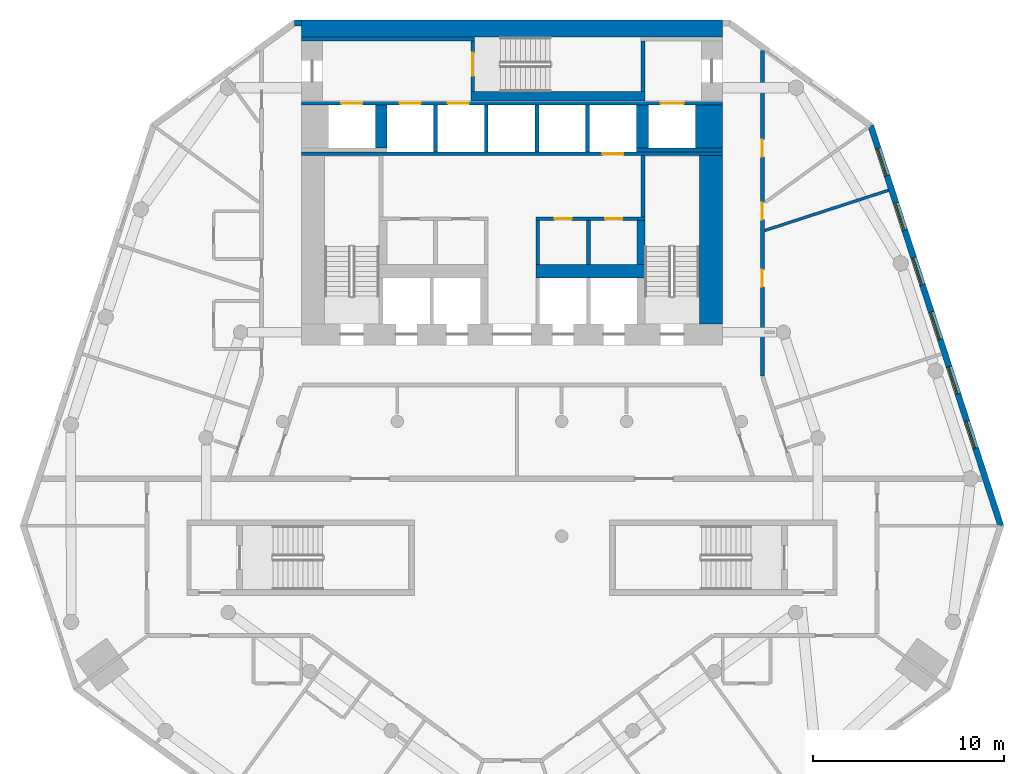
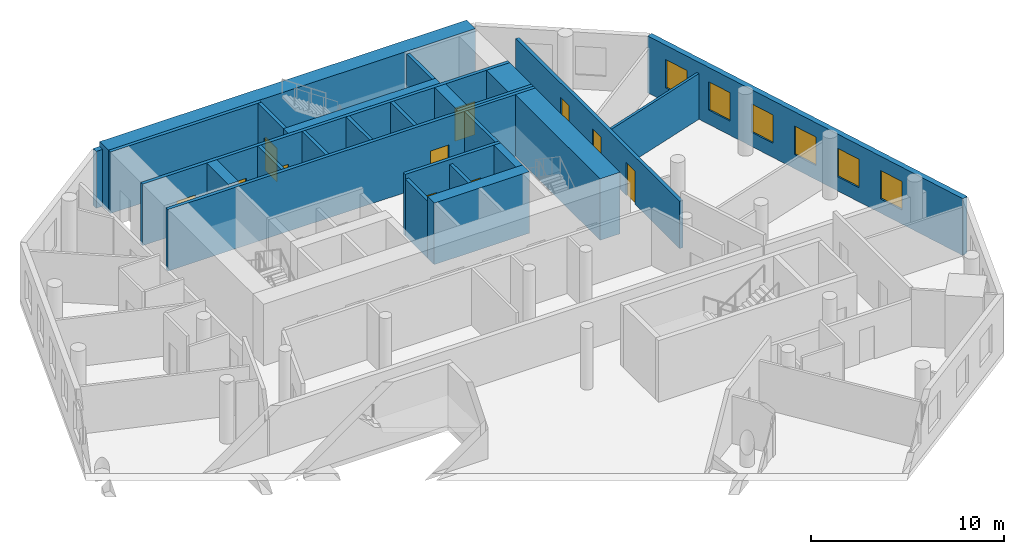
# One storey, part 6 of 9: 26 walls, 11 doors, 6 windows, 17 openings.
"""IFC4 building model written with IfcOpenShell, lengths in metres."""

import ifcopenshell
import ifcopenshell.guid

model = None  # the IFC model being written
_history = None  # IfcOwnerHistory: only IFC2X3 demands one
_inside = {}  # id of a spatial element -> (the spatial element, [elements in it])
_under = {}  # id of a project, library or spatial element -> (it, [spatial elements below it])
_declared = {}  # id of a project -> (the project, [libraries it declares])
_typed = {}  # id of a type object -> (the type object, [elements of that type])
_made_of = {}  # id of a material, layer set ... -> (it, [elements and type objects made of it])


def new_model(schema):
    """Start an empty IFC model of exactly this schema.

    Asked for "IFC4X3", IfcOpenShell would pick the latest addendum, in which some entities
    have other attributes; the version numbers below select the first issue.
    IFC2X3 requires an IfcOwnerHistory on every rooted entity: one is made here for all.
    """
    global model, _history
    if schema == "IFC4X3":
        model = ifcopenshell.file(schema_version=(4, 3, 0, 0))
    else:
        model = ifcopenshell.file(schema=schema)
    _inside.clear()
    _under.clear()
    _declared.clear()
    _typed.clear()
    _made_of.clear()
    _history = None
    if model.schema == "IFC2X3":
        org = make("IfcOrganization", Name="unknown")
        user = make(
            "IfcPersonAndOrganization",
            ThePerson=make("IfcPerson", FamilyName="unknown"),
            TheOrganization=org,
        )
        app = make(
            "IfcApplication",
            ApplicationDeveloper=org,
            Version="unknown",
            ApplicationFullName="unknown",
            ApplicationIdentifier="unknown",
        )
        _history = make(
            "IfcOwnerHistory",
            OwningUser=user,
            OwningApplication=app,
            ChangeAction="ADDED",
            CreationDate=0,
        )
    return model


def make(cls, **values):
    """One entity of the class cls with the attributes given. An attribute that is None is left unset."""
    return model.create_entity(
        cls, **{name: value for name, value in values.items() if value is not None}
    )


def rooted(cls, **values):
    """An entity with a GlobalId (a new one), such as an element, a storey or a relation."""
    return make(cls, GlobalId=ifcopenshell.guid.new(), OwnerHistory=_history, **values)


def si_unit(unit_type, name, prefix=None):
    """IfcSIUnit, for example si_unit("LENGTHUNIT", "METRE", prefix="MILLI")."""
    return make("IfcSIUnit", UnitType=unit_type, Prefix=prefix, Name=name)


def assignment(units):
    """IfcUnitAssignment: the units of a project."""
    return None if units is None else make("IfcUnitAssignment", Units=units)


def point(xyz):
    """IfcCartesianPoint."""
    return None if xyz is None else make("IfcCartesianPoint", Coordinates=xyz)


def direction(xyz):
    """IfcDirection."""
    return None if xyz is None else make("IfcDirection", DirectionRatios=xyz)


def frame(location, z_axis=None, x_axis=None):
    """IfcAxis2Placement3D, a coordinate frame: its origin and axes. An axis left out is left unset."""
    return make(
        "IfcAxis2Placement3D",
        Location=point(location),
        Axis=direction(z_axis),
        RefDirection=direction(x_axis),
    )


def frame_2d(location, x_axis=None):
    """IfcAxis2Placement2D, a coordinate frame in the plane: its origin and x axis."""
    return make(
        "IfcAxis2Placement2D", Location=point(location), RefDirection=direction(x_axis)
    )


def origin():
    """The frame at (0, 0, 0) with its axes left unset."""
    return frame((0.0, 0.0, 0.0))


def place(relative_to, where):
    """IfcLocalPlacement: puts the frame where relative to a parent placement (None: the world)."""
    return make(
        "IfcLocalPlacement", PlacementRelTo=relative_to, RelativePlacement=where
    )


def context(
    kind, dimensions, precision=None, world=None, true_north=None, identifier=None
):
    """IfcGeometricRepresentationContext, for example the 3D "Model" context."""
    return make(
        "IfcGeometricRepresentationContext",
        ContextIdentifier=identifier,
        ContextType=kind,
        CoordinateSpaceDimension=dimensions,
        Precision=precision,
        WorldCoordinateSystem=world,
        TrueNorth=true_north,
    )


def subcontext(parent, identifier, kind, view, scale=None):
    """IfcGeometricRepresentationSubContext, for example "Body" below "Model"."""
    return make(
        "IfcGeometricRepresentationSubContext",
        ContextIdentifier=identifier,
        ContextType=kind,
        ParentContext=parent,
        TargetScale=scale,
        TargetView=view,
    )


def project(units=None, contexts=None):
    """IfcProject with its units and contexts."""
    return rooted(
        "IfcProject",
        Name="project",
        RepresentationContexts=contexts,
        UnitsInContext=assignment(units),
    )


def spatial(cls, under=None, at=None, **own):
    """A site, building, storey or space (cls), placed at a placement, below another one or the project."""
    s = rooted(cls, ObjectPlacement=at, **own)
    if under is not None:
        _under.setdefault(under.id(), (under, []))[1].append(s)
    return s


def profile(cls, at=None, kind="AREA", **sizes):
    """A parametric profile (cls). Its sizes go by their IFC names, for example OverallWidth=200.0."""
    return make(cls, ProfileType=kind, Position=at, **sizes)


def rectangle(**sizes):
    """IfcRectangleProfileDef."""
    return profile("IfcRectangleProfileDef", **sizes)


def extrude(swept, where, along, depth):
    """IfcExtrudedAreaSolid: the profile swept, set in the frame where, extruded along a direction by depth."""
    return make(
        "IfcExtrudedAreaSolid",
        SweptArea=swept,
        Position=where,
        ExtrudedDirection=direction(along),
        Depth=depth,
    )


def shape(context_of_items, identifier, shape_type, items):
    """IfcShapeRepresentation: the items that make up one representation, for example the "Body"."""
    return make(
        "IfcShapeRepresentation",
        ContextOfItems=context_of_items,
        RepresentationIdentifier=identifier,
        RepresentationType=shape_type,
        Items=items,
    )


def material(Name=None, Category=None):
    """IfcMaterial."""
    return make("IfcMaterial", Name=Name, Category=Category)


def layer(
    of_material, thickness, ventilated=None, Name=None, Category=None, Priority=None
):
    """IfcMaterialLayer: one layer of a wall or slab, of a material (None: an air gap)."""
    return make(
        "IfcMaterialLayer",
        Material=of_material,
        LayerThickness=thickness,
        IsVentilated=ventilated,
        Name=Name,
        Category=Category,
        Priority=Priority,
    )


def layer_set(layers, Name=None):
    """IfcMaterialLayerSet."""
    return make("IfcMaterialLayerSet", MaterialLayers=layers, LayerSetName=Name)


def made_of(thing, what):
    """Note that an element or type object is made of a material, layer set ...; save() writes the relation."""
    if what is not None:
        _made_of.setdefault(what.id(), (what, []))[1].append(thing)
    return thing


def type_object(cls, material=None, **own):
    """A type object (cls), such as IfcWallType, which elements share."""
    return made_of(rooted(cls, **own), material)


def element(
    cls,
    number,
    at=None,
    inside=None,
    cuts=None,
    type_object=None,
    material=None,
    context=None,
    identifier="Body",
    shape_type=None,
    held_by="IfcProductDefinitionShape",
    body=None,
    shapes=None,
    **own,
):
    """One element of the class cls, such as IfcWall. Its Tag is "e" and its number.

    at: its placement. inside: the storey or other place that contains it. cuts: it is an
    opening in that element (IfcRelVoidsElement). A single representation is given by context,
    identifier, shape_type and body (its items); several are given by shapes. held_by: the class
    of the entity that holds the representations. save() writes the other relations.
    """
    e = rooted(cls, Tag="e%d" % number, ObjectPlacement=at, **own)
    if body is not None:
        shapes = [shape(context, identifier, shape_type, body)]
    if shapes is not None:
        e.Representation = make(held_by, Representations=shapes)
    if inside is not None:
        _inside.setdefault(inside.id(), (inside, []))[1].append(e)
    if cuts is not None:
        rooted(
            "IfcRelVoidsElement", RelatingBuildingElement=cuts, RelatedOpeningElement=e
        )
    if type_object is not None:
        _typed.setdefault(type_object.id(), (type_object, []))[1].append(e)
    return made_of(e, material)


def fill(opening, filler):
    """IfcRelFillsElement: the door or window that sits in an opening."""
    return rooted(
        "IfcRelFillsElement",
        RelatingOpeningElement=opening,
        RelatedBuildingElement=filler,
    )


def aggregate(whole, parts):
    """IfcRelAggregates: a whole, such as a stair, and the parts it consists of."""
    return rooted("IfcRelAggregates", RelatingObject=whole, RelatedObjects=parts)


def save(model, path):
    """Write the relations noted so far, then the file.

    IfcRelAggregates (storeys below a building ...), IfcRelContainedInSpatialStructure (elements
    in a storey), IfcRelDefinesByType, IfcRelAssociatesMaterial and IfcRelDeclares: one each for
    every whole, place, type object, material and project.
    """
    for whole, parts in _under.values():
        aggregate(whole, parts)
    for where, things in _inside.values():
        rooted(
            "IfcRelContainedInSpatialStructure",
            RelatedElements=things,
            RelatingStructure=where,
        )
    for kind, things in _typed.values():
        rooted("IfcRelDefinesByType", RelatedObjects=things, RelatingType=kind)
    for what, things in _made_of.values():
        rooted("IfcRelAssociatesMaterial", RelatedObjects=things, RelatingMaterial=what)
    for by, libraries in _declared.values():
        rooted("IfcRelDeclares", RelatingContext=by, RelatedDefinitions=libraries)
    model.write(path)


model = new_model("IFC4")

# Units and contexts
model_context = context("Model", 3, precision=1e-05, world=origin(), true_north=direction((0.0, 1.0)))
body_context = subcontext(model_context, "Body", "Model", "MODEL_VIEW")
ifc_project = project(units=[si_unit("LENGTHUNIT", "METRE"), si_unit("AREAUNIT", "SQUARE_METRE"), si_unit("VOLUMEUNIT", "CUBIC_METRE"), si_unit("PLANEANGLEUNIT", "RADIAN"), si_unit("MASSUNIT", "GRAM", prefix="KILO")], contexts=[model_context])

# Site, building, storey
site_placement = place(None, origin())
site = spatial("IfcSite", under=ifc_project, at=site_placement, CompositionType="ELEMENT")
building_placement = place(site_placement, origin())
building = spatial("IfcBuilding", under=site, at=building_placement, Name="White Candle Pilgrim Tower", CompositionType="ELEMENT")
storey_placement = place(building_placement, frame((0.0, 0.0, 122.0)))
storey = spatial("IfcBuildingStorey", under=building, at=storey_placement, Name="L27", CompositionType="ELEMENT", Elevation=122.0)

# Walls
ifc_material_1 = material(Name="Concrete C60/75", Category="concrete")
ifc_layer_1 = layer(ifc_material_1, 1.39990234375)
ifc_layer_set_1 = layer_set([ifc_layer_1], Name="Core wall 1400 mm Concrete C60/75")
wall_type_1 = type_object("IfcWallType", Name="Core wall 1400 mm Concrete C60/75", PredefinedType="SHEAR", material=ifc_layer_set_1)
wall_1_placement = place(storey_placement, frame((80.300048828125, 81.300048828125, 0.0), z_axis=(0.0, 0.0, 1.0), x_axis=(0.0, 1.0, 0.0)))
element("IfcWall", 1, at=wall_1_placement, inside=storey, type_object=wall_type_1, Name="WL-L27-C42", PredefinedType="SHEAR", context=body_context, shape_type="SweptSolid", body=[
    extrude(rectangle(XDim=2.25, YDim=1.39990234375, at=frame_2d((1.125, 0.0))), origin(), (0.0, 0.0, 1.0), 3.89990234375),
])
ifc_layer_2 = layer(ifc_material_1, 0.199951171875)
ifc_layer_set_2 = layer_set([ifc_layer_2], Name="Core wall 200 mm Concrete C60/75")
wall_type_2 = type_object("IfcWallType", Name="Core wall 200 mm Concrete C60/75", PredefinedType="SHEAR", material=ifc_layer_set_2)
wall_2_placement = place(storey_placement, frame((76.5, 81.199951171875, 0.0), z_axis=(0.0, 0.0, 1.0), x_axis=(1.0, 0.0, 0.0)))
element("IfcWall", 2, at=wall_2_placement, inside=storey, type_object=wall_type_2, Name="WL-L27-C38", PredefinedType="SHEAR", context=body_context, shape_type="SweptSolid", body=[
    extrude(rectangle(XDim=4.5, YDim=0.199951171875, at=frame_2d((2.25, 0.0))), origin(), (0.0, 0.0, 1.0), 3.89990234375),
])

# Wall, openings, doors
wall_3_placement = place(storey_placement, frame((59.0, 83.64990234375, 0.0), z_axis=(0.0, 0.0, 1.0), x_axis=(1.0, 0.0, 0.0)))
wall_3 = element("IfcWall", 3, at=wall_3_placement, inside=storey, type_object=wall_type_2, Name="WL-L27-C43", PredefinedType="SHEAR", context=body_context, shape_type="SweptSolid", body=[
    extrude(rectangle(XDim=22.0, YDim=0.199951171875, at=frame_2d((11.0, 0.0))), origin(), (0.0, 0.0, 1.0), 3.89990234375),
])
opening_1_placement = place(wall_3_placement, frame((5.125, 0.0, 0.0)))
opening_1 = element("IfcOpeningElement", 4, at=opening_1_placement, cuts=wall_3, Name="Opening T08-011", PredefinedType="OPENING", context=body_context, shape_type="SweptSolid", body=[
    extrude(rectangle(XDim=1.10009765625, YDim=2.10009765625, at=frame_2d((0.550048828125, 1.050048828125))), frame((0.0, 0.10986328125, 0.0), z_axis=(0.0, -1.0, 0.0), x_axis=(1.0, 0.0, 0.0)), (0.0, 0.0, 1.0), 0.219970703125),
])
opening_2_placement = place(wall_3_placement, frame((7.64990234375, 0.0, 0.0)))
opening_2 = element("IfcOpeningElement", 5, at=opening_2_placement, cuts=wall_3, Name="Opening T08-012", PredefinedType="OPENING", context=body_context, shape_type="SweptSolid", body=[
    extrude(rectangle(XDim=1.10009765625, YDim=2.10009765625, at=frame_2d((0.550048828125, 1.050048828125))), frame((0.0, 0.10986328125, 0.0), z_axis=(0.0, -1.0, 0.0), x_axis=(1.0, 0.0, 0.0)), (0.0, 0.0, 1.0), 0.219970703125),
])
opening_3_placement = place(wall_3_placement, frame((18.77490234375, 0.0, 0.0)))
opening_3 = element("IfcOpeningElement", 6, at=opening_3_placement, cuts=wall_3, Name="Opening T08-018", PredefinedType="OPENING", context=body_context, shape_type="SweptSolid", body=[
    extrude(rectangle(XDim=1.199951171875, YDim=2.10009765625, at=frame_2d((0.60009765625, 1.050048828125))), frame((0.0, 0.10986328125, 0.0), z_axis=(0.0, -1.0, 0.0), x_axis=(1.0, 0.0, 0.0)), (0.0, 0.0, 1.0), 0.219970703125),
])
opening_4_placement = place(wall_3_placement, frame((2.074951171875, 0.0, 0.0)))
opening_4 = element("IfcOpeningElement", 7, at=opening_4_placement, cuts=wall_3, Name="Opening T08-019", PredefinedType="OPENING", context=body_context, shape_type="SweptSolid", body=[
    extrude(rectangle(XDim=1.10009765625, YDim=2.10009765625, at=frame_2d((0.550048828125, 1.050048828125))), frame((0.0, 0.10986328125, 0.0), z_axis=(0.0, -1.0, 0.0), x_axis=(1.0, 0.0, 0.0)), (0.0, 0.0, 1.0), 0.219970703125),
])
ifc_material_2 = material(Name="Stainless steel", Category="steel")
door_type_1 = type_object("IfcDoorType", Name="Lift landing door 1100 x 2100 EI 60", OperationType="DOUBLE_DOOR_SLIDING", PredefinedType="DOOR", material=ifc_material_2)
door_1_placement = place(opening_1_placement, origin())
door_1 = element("IfcDoor", 8, at=door_1_placement, inside=storey, type_object=door_type_1, Name="Door T08-011", OperationType="DOUBLE_DOOR_SLIDING", OverallHeight=2.10009765625, OverallWidth=1.10009765625, PredefinedType="DOOR", context=body_context, shape_type="SweptSolid", body=[
    extrude(rectangle(XDim=1.10009765625, YDim=2.10009765625, at=frame_2d((0.550048828125, 1.050048828125))), frame((0.0, 0.02490234375, 0.0), z_axis=(0.0, -1.0, 0.0), x_axis=(1.0, 0.0, 0.0)), (0.0, 0.0, 1.0), 0.050048828125),
])
fill(opening_1, door_1)
door_2_placement = place(opening_2_placement, origin())
door_2 = element("IfcDoor", 9, at=door_2_placement, inside=storey, type_object=door_type_1, Name="Door T08-012", OperationType="DOUBLE_DOOR_SLIDING", OverallHeight=2.10009765625, OverallWidth=1.10009765625, PredefinedType="DOOR", context=body_context, shape_type="SweptSolid", body=[
    extrude(rectangle(XDim=1.10009765625, YDim=2.10009765625, at=frame_2d((0.550048828125, 1.050048828125))), frame((0.0, 0.02490234375, 0.0), z_axis=(0.0, -1.0, 0.0), x_axis=(1.0, 0.0, 0.0)), (0.0, 0.0, 1.0), 0.050048828125),
])
fill(opening_2, door_2)
door_3_placement = place(opening_4_placement, origin())
door_3 = element("IfcDoor", 10, at=door_3_placement, inside=storey, type_object=door_type_1, Name="Door T08-019", OperationType="DOUBLE_DOOR_SLIDING", OverallHeight=2.10009765625, OverallWidth=1.10009765625, PredefinedType="DOOR", context=body_context, shape_type="SweptSolid", body=[
    extrude(rectangle(XDim=1.10009765625, YDim=2.10009765625, at=frame_2d((0.550048828125, 1.050048828125))), frame((0.0, 0.02490234375, 0.0), z_axis=(0.0, -1.0, 0.0), x_axis=(1.0, 0.0, 0.0)), (0.0, 0.0, 1.0), 0.050048828125),
])
fill(opening_4, door_3)
door_type_2 = type_object("IfcDoorType", Name="Lift landing door 1200 x 2100 E 60", OperationType="DOUBLE_DOOR_SLIDING", PredefinedType="DOOR", material=ifc_material_2)
door_4_placement = place(opening_3_placement, origin())
door_4 = element("IfcDoor", 11, at=door_4_placement, inside=storey, type_object=door_type_2, Name="Door T08-018", OperationType="DOUBLE_DOOR_SLIDING", OverallHeight=2.10009765625, OverallWidth=1.199951171875, PredefinedType="DOOR", context=body_context, shape_type="SweptSolid", body=[
    extrude(rectangle(XDim=1.199951171875, YDim=2.10009765625, at=frame_2d((0.60009765625, 1.050048828125))), frame((0.0, 0.02490234375, 0.0), z_axis=(0.0, -1.0, 0.0), x_axis=(1.0, 0.0, 0.0)), (0.0, 0.0, 1.0), 0.050048828125),
])
fill(opening_3, door_4)

ifc_material_3 = material(Name="Gypsum board on steel studs", Category="steel")
ifc_layer_3 = layer(ifc_material_3, 0.199951171875)
ifc_layer_set_3 = layer_set([ifc_layer_3], Name="Corridor wall 200 mm EI 45")
wall_type_3 = type_object("IfcWallType", Name="Corridor wall 200 mm EI 45", PredefinedType="PARTITIONING", material=ifc_layer_set_3)
wall_4_placement = place(storey_placement, frame((83.10009765625, 86.396240234375, 0.0), z_axis=(0.0, 0.0, 1.0), x_axis=(0.0, -1.0, 0.0)))
wall_4 = element("IfcWall", 12, at=wall_4_placement, inside=storey, type_object=wall_type_3, Name="WL-L27-P004", PredefinedType="PARTITIONING", context=body_context, shape_type="SweptSolid", body=[
    extrude(rectangle(XDim=17.01123046875, YDim=0.199951171875, at=frame_2d((8.505615234375, 0.0))), origin(), (0.0, 0.0, 1.0), 3.0),
])
opening_5_placement = place(wall_4_placement, frame((4.6533203125, 0.0, 0.0)))
opening_5 = element("IfcOpeningElement", 13, at=opening_5_placement, cuts=wall_4, Name="Opening T08-124", PredefinedType="OPENING", context=body_context, shape_type="SweptSolid", body=[
    extrude(rectangle(XDim=0.89990234375, YDim=2.10009765625, at=frame_2d((0.449951171875, 1.050048828125))), frame((0.0, 0.10986328125, 0.0), z_axis=(0.0, -1.0, 0.0), x_axis=(1.0, 0.0, 0.0)), (0.0, 0.0, 1.0), 0.219970703125),
])
opening_6_placement = place(wall_4_placement, frame((7.943115234375, 0.0, 0.0)))
opening_6 = element("IfcOpeningElement", 14, at=opening_6_placement, cuts=wall_4, Name="Opening T08-125", PredefinedType="OPENING", context=body_context, shape_type="SweptSolid", body=[
    extrude(rectangle(XDim=0.89990234375, YDim=2.10009765625, at=frame_2d((0.449951171875, 1.050048828125))), frame((0.0, 0.10986328125, 0.0), z_axis=(0.0, -1.0, 0.0), x_axis=(1.0, 0.0, 0.0)), (0.0, 0.0, 1.0), 0.219970703125),
])
opening_7_placement = place(wall_4_placement, frame((11.457763671875, 0.0, 0.0)))
opening_7 = element("IfcOpeningElement", 15, at=opening_7_placement, cuts=wall_4, Name="Opening T08-126", PredefinedType="OPENING", context=body_context, shape_type="SweptSolid", body=[
    extrude(rectangle(XDim=0.89990234375, YDim=2.10009765625, at=frame_2d((0.449951171875, 1.050048828125))), frame((0.0, 0.10986328125, 0.0), z_axis=(0.0, -1.0, 0.0), x_axis=(1.0, 0.0, 0.0)), (0.0, 0.0, 1.0), 0.219970703125),
])
ifc_material_4 = material(Name="Steel door leaf", Category="steel")
door_type_3 = type_object("IfcDoorType", Name="Fire door 900 x 2100 EI 30", OperationType="NOTDEFINED", PredefinedType="DOOR", material=ifc_material_4)
door_5_placement = place(opening_5_placement, origin())
door_5 = element("IfcDoor", 16, at=door_5_placement, inside=storey, type_object=door_type_3, Name="Door T08-124", OperationType="SINGLE_SWING_RIGHT", OverallHeight=2.10009765625, OverallWidth=0.89990234375, PredefinedType="DOOR", context=body_context, shape_type="SweptSolid", body=[
    extrude(rectangle(XDim=0.89990234375, YDim=2.10009765625, at=frame_2d((0.449951171875, 1.050048828125))), frame((0.0, 0.02490234375, 0.0), z_axis=(0.0, -1.0, 0.0), x_axis=(1.0, 0.0, 0.0)), (0.0, 0.0, 1.0), 0.050048828125),
])
fill(opening_5, door_5)
door_6_placement = place(opening_6_placement, origin())
door_6 = element("IfcDoor", 17, at=door_6_placement, inside=storey, type_object=door_type_3, Name="Door T08-125", OperationType="SINGLE_SWING_LEFT", OverallHeight=2.10009765625, OverallWidth=0.89990234375, PredefinedType="DOOR", context=body_context, shape_type="SweptSolid", body=[
    extrude(rectangle(XDim=0.89990234375, YDim=2.10009765625, at=frame_2d((0.449951171875, 1.050048828125))), frame((0.0, 0.02490234375, 0.0), z_axis=(0.0, -1.0, 0.0), x_axis=(1.0, 0.0, 0.0)), (0.0, 0.0, 1.0), 0.050048828125),
])
fill(opening_6, door_6)
door_7_placement = place(opening_7_placement, origin())
door_7 = element("IfcDoor", 18, at=door_7_placement, inside=storey, type_object=door_type_3, Name="Door T08-126", OperationType="SINGLE_SWING_RIGHT", OverallHeight=2.10009765625, OverallWidth=0.89990234375, PredefinedType="DOOR", context=body_context, shape_type="SweptSolid", body=[
    extrude(rectangle(XDim=0.89990234375, YDim=2.10009765625, at=frame_2d((0.449951171875, 1.050048828125))), frame((0.0, 0.02490234375, 0.0), z_axis=(0.0, -1.0, 0.0), x_axis=(1.0, 0.0, 0.0)), (0.0, 0.0, 1.0), 0.050048828125),
])
fill(opening_7, door_7)

# Wall, openings, windows
ifc_material_5 = material(Name="Precast concrete C40/50", Category="concrete")
ifc_layer_4 = layer(ifc_material_5, 0.320068359375)
ifc_layer_set_4 = layer_set([ifc_layer_4], Name="Facade wall EW1 precast concrete C40/50 pier wall with timber-lined reveals")
wall_type_4 = type_object("IfcWallType", Name="Facade wall EW1 precast concrete C40/50 pier wall with timber-lined reveals", PredefinedType="SOLIDWALL", material=ifc_layer_set_4)
wall_5_placement = place(storey_placement, frame((95.568603515625, 61.54296875, 0.0), z_axis=(0.0, 0.0, 1.0), x_axis=(-0.309014593053, 0.951057296529, 0.0)))
wall_5 = element("IfcWall", 19, at=wall_5_placement, inside=storey, type_object=wall_type_4, Name="Facade wall L27 ENE", PredefinedType="SOLIDWALL", context=body_context, shape_type="SweptSolid", body=[
    extrude(rectangle(XDim=22.01123046875, YDim=0.320068359375, at=frame_2d((11.005615234375, 0.0))), origin(), (0.0, 0.0, 1.0), 3.60009765625),
])
opening_8_placement = place(wall_5_placement, frame((4.255615234375, 0.0, 0.89990234375)))
opening_8 = element("IfcOpeningElement", 20, at=opening_8_placement, cuts=wall_5, Name="Opening W1", PredefinedType="OPENING", context=body_context, shape_type="SweptSolid", body=[
    extrude(rectangle(XDim=1.5, YDim=1.800048828125, at=frame_2d((0.75, 0.89990234375))), frame((0.0, 0.169921875, 0.0), z_axis=(0.0, -1.0, 0.0), x_axis=(1.0, 0.0, 0.0)), (0.0, 0.0, 1.0), 0.340087890625),
])
opening_9_placement = place(wall_5_placement, frame((7.255615234375, 0.0, 0.89990234375)))
opening_9 = element("IfcOpeningElement", 21, at=opening_9_placement, cuts=wall_5, Name="Opening W1", PredefinedType="OPENING", context=body_context, shape_type="SweptSolid", body=[
    extrude(rectangle(XDim=1.5, YDim=1.800048828125, at=frame_2d((0.75, 0.89990234375))), frame((0.0, 0.169921875, 0.0), z_axis=(0.0, -1.0, 0.0), x_axis=(1.0, 0.0, 0.0)), (0.0, 0.0, 1.0), 0.340087890625),
])
opening_10_placement = place(wall_5_placement, frame((10.255615234375, 0.0, 0.89990234375)))
opening_10 = element("IfcOpeningElement", 22, at=opening_10_placement, cuts=wall_5, Name="Opening W1", PredefinedType="OPENING", context=body_context, shape_type="SweptSolid", body=[
    extrude(rectangle(XDim=1.5, YDim=1.800048828125, at=frame_2d((0.75, 0.89990234375))), frame((0.0, 0.169921875, 0.0), z_axis=(0.0, -1.0, 0.0), x_axis=(1.0, 0.0, 0.0)), (0.0, 0.0, 1.0), 0.340087890625),
])
opening_11_placement = place(wall_5_placement, frame((13.255615234375, 0.0, 0.89990234375)))
opening_11 = element("IfcOpeningElement", 23, at=opening_11_placement, cuts=wall_5, Name="Opening W1", PredefinedType="OPENING", context=body_context, shape_type="SweptSolid", body=[
    extrude(rectangle(XDim=1.5, YDim=1.800048828125, at=frame_2d((0.75, 0.89990234375))), frame((0.0, 0.169921875, 0.0), z_axis=(0.0, -1.0, 0.0), x_axis=(1.0, 0.0, 0.0)), (0.0, 0.0, 1.0), 0.340087890625),
])
opening_12_placement = place(wall_5_placement, frame((16.255615234375, 0.0, 0.89990234375)))
opening_12 = element("IfcOpeningElement", 24, at=opening_12_placement, cuts=wall_5, Name="Opening W1", PredefinedType="OPENING", context=body_context, shape_type="SweptSolid", body=[
    extrude(rectangle(XDim=1.5, YDim=1.800048828125, at=frame_2d((0.75, 0.89990234375))), frame((0.0, 0.169921875, 0.0), z_axis=(0.0, -1.0, 0.0), x_axis=(1.0, 0.0, 0.0)), (0.0, 0.0, 1.0), 0.340087890625),
])
opening_13_placement = place(wall_5_placement, frame((19.255615234375, 0.0, 0.89990234375)))
opening_13 = element("IfcOpeningElement", 25, at=opening_13_placement, cuts=wall_5, Name="Opening W1", PredefinedType="OPENING", context=body_context, shape_type="SweptSolid", body=[
    extrude(rectangle(XDim=1.5, YDim=1.800048828125, at=frame_2d((0.75, 0.89990234375))), frame((0.0, 0.169921875, 0.0), z_axis=(0.0, -1.0, 0.0), x_axis=(1.0, 0.0, 0.0)), (0.0, 0.0, 1.0), 0.340087890625),
])
ifc_material_6 = material(Name="Timber frame with triple glazing", Category="wood")
window_type = type_object("IfcWindowType", Name="Window W1 1500x1800 timber frame triple glazing", PartitioningType="SINGLE_PANEL", PredefinedType="WINDOW", material=ifc_material_6)
window_1_placement = place(opening_8_placement, origin())
window_1 = element("IfcWindow", 26, at=window_1_placement, inside=storey, type_object=window_type, Name="Window W1 L27 ENE 2", OverallHeight=1.800048828125, OverallWidth=1.5, PartitioningType="SINGLE_PANEL", PredefinedType="WINDOW", context=body_context, shape_type="SweptSolid", body=[
    extrude(rectangle(XDim=1.5, YDim=1.800048828125, at=frame_2d((0.75, 0.89990234375))), frame((0.0, 0.070068359375, 0.0), z_axis=(0.0, -1.0, 0.0), x_axis=(1.0, 0.0, 0.0)), (0.0, 0.0, 1.0), 0.06005859375),
])
fill(opening_8, window_1)
window_2_placement = place(opening_9_placement, origin())
window_2 = element("IfcWindow", 27, at=window_2_placement, inside=storey, type_object=window_type, Name="Window W1 L27 ENE 3", OverallHeight=1.800048828125, OverallWidth=1.5, PartitioningType="SINGLE_PANEL", PredefinedType="WINDOW", context=body_context, shape_type="SweptSolid", body=[
    extrude(rectangle(XDim=1.5, YDim=1.800048828125, at=frame_2d((0.75, 0.89990234375))), frame((0.0, 0.070068359375, 0.0), z_axis=(0.0, -1.0, 0.0), x_axis=(1.0, 0.0, 0.0)), (0.0, 0.0, 1.0), 0.06005859375),
])
fill(opening_9, window_2)
window_3_placement = place(opening_10_placement, origin())
window_3 = element("IfcWindow", 28, at=window_3_placement, inside=storey, type_object=window_type, Name="Window W1 L27 ENE 4", OverallHeight=1.800048828125, OverallWidth=1.5, PartitioningType="SINGLE_PANEL", PredefinedType="WINDOW", context=body_context, shape_type="SweptSolid", body=[
    extrude(rectangle(XDim=1.5, YDim=1.800048828125, at=frame_2d((0.75, 0.89990234375))), frame((0.0, 0.070068359375, 0.0), z_axis=(0.0, -1.0, 0.0), x_axis=(1.0, 0.0, 0.0)), (0.0, 0.0, 1.0), 0.06005859375),
])
fill(opening_10, window_3)
window_4_placement = place(opening_11_placement, origin())
window_4 = element("IfcWindow", 29, at=window_4_placement, inside=storey, type_object=window_type, Name="Window W1 L27 ENE 5", OverallHeight=1.800048828125, OverallWidth=1.5, PartitioningType="SINGLE_PANEL", PredefinedType="WINDOW", context=body_context, shape_type="SweptSolid", body=[
    extrude(rectangle(XDim=1.5, YDim=1.800048828125, at=frame_2d((0.75, 0.89990234375))), frame((0.0, 0.070068359375, 0.0), z_axis=(0.0, -1.0, 0.0), x_axis=(1.0, 0.0, 0.0)), (0.0, 0.0, 1.0), 0.06005859375),
])
fill(opening_11, window_4)
window_5_placement = place(opening_12_placement, origin())
window_5 = element("IfcWindow", 30, at=window_5_placement, inside=storey, type_object=window_type, Name="Window W1 L27 ENE 6", OverallHeight=1.800048828125, OverallWidth=1.5, PartitioningType="SINGLE_PANEL", PredefinedType="WINDOW", context=body_context, shape_type="SweptSolid", body=[
    extrude(rectangle(XDim=1.5, YDim=1.800048828125, at=frame_2d((0.75, 0.89990234375))), frame((0.0, 0.070068359375, 0.0), z_axis=(0.0, -1.0, 0.0), x_axis=(1.0, 0.0, 0.0)), (0.0, 0.0, 1.0), 0.06005859375),
])
fill(opening_12, window_5)
window_6_placement = place(opening_13_placement, origin())
window_6 = element("IfcWindow", 31, at=window_6_placement, inside=storey, type_object=window_type, Name="Window W1 L27 ENE 7", OverallHeight=1.800048828125, OverallWidth=1.5, PartitioningType="SINGLE_PANEL", PredefinedType="WINDOW", context=body_context, shape_type="SweptSolid", body=[
    extrude(rectangle(XDim=1.5, YDim=1.800048828125, at=frame_2d((0.75, 0.89990234375))), frame((0.0, 0.070068359375, 0.0), z_axis=(0.0, -1.0, 0.0), x_axis=(1.0, 0.0, 0.0)), (0.0, 0.0, 1.0), 0.06005859375),
])
fill(opening_13, window_6)

# Walls
wall_6_placement = place(storey_placement, frame((59.0, 87.840087890625, 0.0), z_axis=(0.0, 0.0, 1.0), x_axis=(-1.0, 0.0, 0.0)))
element("IfcWall", 32, at=wall_6_placement, inside=storey, type_object=wall_type_4, Name="Facade wall L27 N", PredefinedType="SOLIDWALL", context=body_context, shape_type="SweptSolid", body=[
    extrude(rectangle(XDim=0.385009765625, YDim=0.320068359375, at=frame_2d((0.1923828125, 0.0))), origin(), (0.0, 0.0, 1.0), 3.60009765625),
])
ifc_layer_5 = layer(ifc_material_3, 0.199951171875)
ifc_layer_set_5 = layer_set([ifc_layer_5], Name="Lobby wall 200 mm EI 60")
wall_type_5 = type_object("IfcWallType", Name="Lobby wall 200 mm EI 60", PredefinedType="PARTITIONING", material=ifc_layer_set_5)
for number, where, z_axis, x_axis, name in (
    (33, (71.35009765625, 75.199951171875, 0.0), (0.0, 0.0, 1.0), (0.0, 1.0, 0.0), "WL-L27-C25"),
    (34, (74.0, 75.199951171875, 0.0), (0.0, 0.0, 1.0), (0.0, 1.0, 0.0), "WL-L27-C26"),
):
    element("IfcWall", number, at=place(storey_placement, frame(where, z_axis=z_axis, x_axis=x_axis)), inside=storey, type_object=wall_type_5, Name=name, PredefinedType="PARTITIONING", context=body_context, shape_type="SweptSolid", body=[
        extrude(rectangle(XDim=2.300048828125, YDim=0.199951171875, at=frame_2d((1.14990234375, 0.0))), origin(), (0.0, 0.0, 1.0), 3.60009765625),
    ])
ifc_layer_6 = layer(ifc_material_3, 0.14990234375)
ifc_layer_set_6 = layer_set([ifc_layer_6], Name="Partition 150 mm EI 60")
wall_type_6 = type_object("IfcWallType", Name="Partition 150 mm EI 60", PredefinedType="PARTITIONING", material=ifc_layer_set_6)
wall_7_placement = place(storey_placement, frame((89.697998046875, 79.093505859375, 0.0), z_axis=(0.0, 0.0, 1.0), x_axis=(-0.951048034786, -0.309043096557, 0.0)))
element("IfcWall", 35, at=wall_7_placement, inside=storey, type_object=wall_type_6, Name="WL-L27-P048", PredefinedType="PARTITIONING", context=body_context, shape_type="SweptSolid", body=[
    extrude(rectangle(XDim=6.80810546875, YDim=0.14990234375, at=frame_2d((3.404052734375, 0.0))), origin(), (0.0, 0.0, 1.0), 2.89990234375),
])
ifc_layer_7 = layer(ifc_material_1, 0.199951171875)
ifc_layer_set_7 = layer_set([ifc_layer_7], Name="Shaft wall 200 mm Concrete C60/75")
wall_type_7 = type_object("IfcWallType", Name="Shaft wall 200 mm Concrete C60/75", PredefinedType="SHEAR", material=ifc_layer_set_7)
for number, where, z_axis, x_axis, name in (
    (36, (66.0, 81.10009765625, 0.0), (0.0, 0.0, 1.0), (0.0, 1.0, 0.0), "WL-L27-C34"),
    (37, (68.64990234375, 81.10009765625, 0.0), (0.0, 0.0, 1.0), (0.0, 1.0, 0.0), "WL-L27-C35"),
    (38, (71.300048828125, 81.10009765625, 0.0), (0.0, 0.0, 1.0), (0.0, 1.0, 0.0), "WL-L27-C36"),
    (39, (73.949951171875, 81.10009765625, 0.0), (0.0, 0.0, 1.0), (0.0, 1.0, 0.0), "WL-L27-C37"),
):
    element("IfcWall", number, at=place(storey_placement, frame(where, z_axis=z_axis, x_axis=x_axis)), inside=storey, type_object=wall_type_7, Name=name, PredefinedType="SHEAR", context=body_context, shape_type="SweptSolid", body=[
        extrude(rectangle(XDim=2.449951171875, YDim=0.199951171875, at=frame_2d((1.22509765625, 0.0))), origin(), (0.0, 0.0, 1.0), 3.89990234375),
    ])
ifc_layer_8 = layer(ifc_material_1, 0.60009765625)
ifc_layer_set_8 = layer_set([ifc_layer_8], Name="Shaft wall 600 mm Concrete C60/75")
wall_type_8 = type_object("IfcWallType", Name="Shaft wall 600 mm Concrete C60/75", PredefinedType="SHEAR", material=ifc_layer_set_8)
wall_8_placement = place(storey_placement, frame((63.14990234375, 81.300048828125, 0.0), z_axis=(0.0, 0.0, 1.0), x_axis=(0.0, 1.0, 0.0)))
element("IfcWall", 40, at=wall_8_placement, inside=storey, type_object=wall_type_8, Name="WL-L27-C40", PredefinedType="SHEAR", context=body_context, shape_type="SweptSolid", body=[
    extrude(rectangle(XDim=2.25, YDim=0.60009765625, at=frame_2d((1.125, 0.0))), origin(), (0.0, 0.0, 1.0), 3.89990234375),
])
ifc_layer_9 = layer(ifc_material_1, 0.64990234375)
ifc_layer_set_9 = layer_set([ifc_layer_9], Name="Shaft wall 650 mm Concrete C60/75")
wall_type_9 = type_object("IfcWallType", Name="Shaft wall 650 mm Concrete C60/75", PredefinedType="SHEAR", material=ifc_layer_set_9)
wall_9_placement = place(storey_placement, frame((76.824951171875, 81.300048828125, 0.0), z_axis=(0.0, 0.0, 1.0), x_axis=(0.0, 1.0, 0.0)))
element("IfcWall", 41, at=wall_9_placement, inside=storey, type_object=wall_type_9, Name="WL-L27-C41", PredefinedType="SHEAR", context=body_context, shape_type="SweptSolid", body=[
    extrude(rectangle(XDim=2.25, YDim=0.64990234375, at=frame_2d((1.125, 0.0))), origin(), (0.0, 0.0, 1.0), 3.89990234375),
])
ifc_layer_10 = layer(ifc_material_1, 1.199951171875)
ifc_layer_set_10 = layer_set([ifc_layer_10], Name="Stair shaft wall 1200 mm Concrete C60/75")
wall_type_10 = type_object("IfcWallType", Name="Stair shaft wall 1200 mm Concrete C60/75", PredefinedType="SHEAR", material=ifc_layer_set_10)
wall_10_placement = place(storey_placement, frame((80.39990234375, 72.10009765625, 0.0), z_axis=(0.0, 0.0, 1.0), x_axis=(0.0, 1.0, 0.0)))
element("IfcWall", 42, at=wall_10_placement, inside=storey, type_object=wall_type_10, Name="WL-L27-C19", PredefinedType="SHEAR", context=body_context, shape_type="SweptSolid", body=[
    extrude(rectangle(XDim=8.7998046875, YDim=1.199951171875, at=frame_2d((4.39990234375, 0.0))), origin(), (0.0, 0.0, 1.0), 3.89990234375),
])

# Wall, openings, doors
ifc_layer_11 = layer(ifc_material_1, 0.199951171875)
ifc_layer_set_11 = layer_set([ifc_layer_11], Name="Stair shaft wall 200 mm Concrete C60/75")
wall_type_11 = type_object("IfcWallType", Name="Stair shaft wall 200 mm Concrete C60/75", PredefinedType="SHEAR", material=ifc_layer_set_11)
wall_11_placement = place(storey_placement, frame((71.25, 77.60009765625, 0.0), z_axis=(0.0, 0.0, 1.0), x_axis=(1.0, 0.0, 0.0)))
wall_11 = element("IfcWall", 43, at=wall_11_placement, inside=storey, type_object=wall_type_11, Name="WL-L27-C29", PredefinedType="SHEAR", context=body_context, shape_type="SweptSolid", body=[
    extrude(rectangle(XDim=5.699951171875, YDim=0.199951171875, at=frame_2d((2.85009765625, 0.0))), origin(), (0.0, 0.0, 1.0), 3.89990234375),
])
opening_14_placement = place(wall_11_placement, frame((0.97509765625, 0.0, 0.0)))
opening_14 = element("IfcOpeningElement", 44, at=opening_14_placement, cuts=wall_11, Name="Opening T08-022", PredefinedType="OPENING", context=body_context, shape_type="SweptSolid", body=[
    extrude(rectangle(XDim=0.89990234375, YDim=2.10009765625, at=frame_2d((0.449951171875, 1.050048828125))), frame((0.0, 0.10986328125, 0.0), z_axis=(0.0, -1.0, 0.0), x_axis=(1.0, 0.0, 0.0)), (0.0, 0.0, 1.0), 0.219970703125),
])
opening_15_placement = place(wall_11_placement, frame((3.625, 0.0, 0.0)))
opening_15 = element("IfcOpeningElement", 45, at=opening_15_placement, cuts=wall_11, Name="Opening T08-023", PredefinedType="OPENING", context=body_context, shape_type="SweptSolid", body=[
    extrude(rectangle(XDim=0.89990234375, YDim=2.10009765625, at=frame_2d((0.449951171875, 1.050048828125))), frame((0.0, 0.10986328125, 0.0), z_axis=(0.0, -1.0, 0.0), x_axis=(1.0, 0.0, 0.0)), (0.0, 0.0, 1.0), 0.219970703125),
])
door_8_placement = place(opening_14_placement, origin())
door_8 = element("IfcDoor", 46, at=door_8_placement, inside=storey, type_object=door_type_3, Name="Door T08-022", OperationType="SINGLE_SWING_RIGHT", OverallHeight=2.10009765625, OverallWidth=0.89990234375, PredefinedType="DOOR", context=body_context, shape_type="SweptSolid", body=[
    extrude(rectangle(XDim=0.89990234375, YDim=2.10009765625, at=frame_2d((0.449951171875, 1.050048828125))), frame((0.0, 0.02490234375, 0.0), z_axis=(0.0, -1.0, 0.0), x_axis=(1.0, 0.0, 0.0)), (0.0, 0.0, 1.0), 0.050048828125),
])
fill(opening_14, door_8)
door_9_placement = place(opening_15_placement, origin())
door_9 = element("IfcDoor", 47, at=door_9_placement, inside=storey, type_object=door_type_3, Name="Door T08-023", OperationType="SINGLE_SWING_LEFT", OverallHeight=2.10009765625, OverallWidth=0.89990234375, PredefinedType="DOOR", context=body_context, shape_type="SweptSolid", body=[
    extrude(rectangle(XDim=0.89990234375, YDim=2.10009765625, at=frame_2d((0.449951171875, 1.050048828125))), frame((0.0, 0.02490234375, 0.0), z_axis=(0.0, -1.0, 0.0), x_axis=(1.0, 0.0, 0.0)), (0.0, 0.0, 1.0), 0.050048828125),
])
fill(opening_15, door_9)

# Wall
wall_12_placement = place(storey_placement, frame((76.85009765625, 77.699951171875, 0.0), z_axis=(0.0, 0.0, 1.0), x_axis=(0.0, 1.0, 0.0)))
element("IfcWall", 48, at=wall_12_placement, inside=storey, type_object=wall_type_11, Name="WL-L27-C31", PredefinedType="SHEAR", context=body_context, shape_type="SweptSolid", body=[
    extrude(rectangle(XDim=3.199951171875, YDim=0.199951171875, at=frame_2d((1.60009765625, 0.0))), origin(), (0.0, 0.0, 1.0), 3.89990234375),
])

# Wall, opening, door
wall_13_placement = place(storey_placement, frame((59.0, 81.0, 0.0), z_axis=(0.0, 0.0, 1.0), x_axis=(1.0, 0.0, 0.0)))
wall_13 = element("IfcWall", 49, at=wall_13_placement, inside=storey, type_object=wall_type_11, Name="WL-L27-C32", PredefinedType="SHEAR", context=body_context, shape_type="SweptSolid", body=[
    extrude(rectangle(XDim=22.0, YDim=0.199951171875, at=frame_2d((11.0, 0.0))), origin(), (0.0, 0.0, 1.0), 3.89990234375),
])
opening_16_placement = place(wall_13_placement, frame((15.72509765625, 0.0, 0.0)))
opening_16 = element("IfcOpeningElement", 50, at=opening_16_placement, cuts=wall_13, Name="Opening T08-013", PredefinedType="OPENING", context=body_context, shape_type="SweptSolid", body=[
    extrude(rectangle(XDim=1.10009765625, YDim=2.10009765625, at=frame_2d((0.550048828125, 1.050048828125))), frame((0.0, 0.10986328125, 0.0), z_axis=(0.0, -1.0, 0.0), x_axis=(1.0, 0.0, 0.0)), (0.0, 0.0, 1.0), 0.219970703125),
])
door_type_4 = type_object("IfcDoorType", Name="Lift landing door 1100 x 2100 E 60", OperationType="DOUBLE_DOOR_SLIDING", PredefinedType="DOOR", material=ifc_material_2)
door_10_placement = place(opening_16_placement, origin())
door_10 = element("IfcDoor", 51, at=door_10_placement, inside=storey, type_object=door_type_4, Name="Door T08-013", OperationType="DOUBLE_DOOR_SLIDING", OverallHeight=2.10009765625, OverallWidth=1.10009765625, PredefinedType="DOOR", context=body_context, shape_type="SweptSolid", body=[
    extrude(rectangle(XDim=1.10009765625, YDim=2.10009765625, at=frame_2d((0.550048828125, 1.050048828125))), frame((0.0, 0.02490234375, 0.0), z_axis=(0.0, -1.0, 0.0), x_axis=(1.0, 0.0, 0.0)), (0.0, 0.0, 1.0), 0.050048828125),
])
fill(opening_16, door_10)

wall_14_placement = place(storey_placement, frame((67.949951171875, 84.25, 0.0), z_axis=(0.0, 0.0, 1.0), x_axis=(0.0, 1.0, 0.0)))
wall_14 = element("IfcWall", 52, at=wall_14_placement, inside=storey, type_object=wall_type_11, Name="WL-L27-C47", PredefinedType="SHEAR", context=body_context, shape_type="SweptSolid", body=[
    extrude(rectangle(XDim=2.64990234375, YDim=0.199951171875, at=frame_2d((1.324951171875, 0.0))), origin(), (0.0, 0.0, 1.0), 3.89990234375),
])
opening_17_placement = place(wall_14_placement, frame((0.824951171875, 0.0, 0.0)))
opening_17 = element("IfcOpeningElement", 53, at=opening_17_placement, cuts=wall_14, Name="Opening T08-003", PredefinedType="OPENING", context=body_context, shape_type="SweptSolid", body=[
    extrude(rectangle(XDim=1.199951171875, YDim=2.10009765625, at=frame_2d((0.60009765625, 1.050048828125))), frame((0.0, 0.10986328125, 0.0), z_axis=(0.0, -1.0, 0.0), x_axis=(1.0, 0.0, 0.0)), (0.0, 0.0, 1.0), 0.219970703125),
])
door_type_5 = type_object("IfcDoorType", Name="Fire door 1200 x 2100 EI 60", OperationType="NOTDEFINED", PredefinedType="DOOR", material=ifc_material_4)
door_11_placement = place(opening_17_placement, frame((1.199951171875, 0.0, 0.0), z_axis=(0.0, 0.0, 1.0), x_axis=(-1.0, 0.0, 0.0)))
door_11 = element("IfcDoor", 54, at=door_11_placement, inside=storey, type_object=door_type_5, Name="Door T08-003", OperationType="SINGLE_SWING_RIGHT", OverallHeight=2.10009765625, OverallWidth=1.199951171875, PredefinedType="DOOR", context=body_context, shape_type="SweptSolid", body=[
    extrude(rectangle(XDim=1.199951171875, YDim=2.10009765625, at=frame_2d((0.60009765625, 1.050048828125))), frame((0.0, 0.02490234375, 0.0), z_axis=(0.0, -1.0, 0.0), x_axis=(1.0, 0.0, 0.0)), (0.0, 0.0, 1.0), 0.050048828125),
])
fill(opening_17, door_11)

# Walls
wall_15_placement = place(storey_placement, frame((76.85009765625, 84.25, 0.0), z_axis=(0.0, 0.0, 1.0), x_axis=(0.0, 1.0, 0.0)))
element("IfcWall", 55, at=wall_15_placement, inside=storey, type_object=wall_type_11, Name="WL-L27-C48", PredefinedType="SHEAR", context=body_context, shape_type="SweptSolid", body=[
    extrude(rectangle(XDim=2.64990234375, YDim=0.199951171875, at=frame_2d((1.324951171875, 0.0))), origin(), (0.0, 0.0, 1.0), 3.89990234375),
])
wall_16_placement = place(storey_placement, frame((59.0, 87.0, 0.0), z_axis=(0.0, 0.0, 1.0), x_axis=(1.0, 0.0, 0.0)))
element("IfcWall", 56, at=wall_16_placement, inside=storey, type_object=wall_type_11, Name="WL-L27-C49", PredefinedType="SHEAR", context=body_context, shape_type="SweptSolid", body=[
    extrude(rectangle(XDim=9.050048828125, YDim=0.199951171875, at=frame_2d((4.52490234375, 0.0))), origin(), (0.0, 0.0, 1.0), 3.89990234375),
])
ifc_layer_12 = layer(ifc_material_1, 0.39990234375)
ifc_layer_set_12 = layer_set([ifc_layer_12], Name="Stair shaft wall 400 mm Concrete C60/75")
wall_type_12 = type_object("IfcWallType", Name="Stair shaft wall 400 mm Concrete C60/75", PredefinedType="SHEAR", material=ifc_layer_set_12)
wall_17_placement = place(storey_placement, frame((76.75, 75.199951171875, 0.0), z_axis=(0.0, 0.0, 1.0), x_axis=(0.0, 1.0, 0.0)))
element("IfcWall", 57, at=wall_17_placement, inside=storey, type_object=wall_type_12, Name="WL-L27-C27", PredefinedType="SHEAR", context=body_context, shape_type="SweptSolid", body=[
    extrude(rectangle(XDim=2.300048828125, YDim=0.39990234375, at=frame_2d((1.14990234375, 0.0))), origin(), (0.0, 0.0, 1.0), 3.89990234375),
])
ifc_layer_13 = layer(ifc_material_1, 0.5)
ifc_layer_set_13 = layer_set([ifc_layer_13], Name="Stair shaft wall 500 mm Concrete C60/75")
wall_type_13 = type_object("IfcWallType", Name="Stair shaft wall 500 mm Concrete C60/75", PredefinedType="SHEAR", material=ifc_layer_set_13)
wall_18_placement = place(storey_placement, frame((67.85009765625, 84.0, 0.0), z_axis=(0.0, 0.0, 1.0), x_axis=(1.0, 0.0, 0.0)))
element("IfcWall", 58, at=wall_18_placement, inside=storey, type_object=wall_type_13, Name="WL-L27-C45", PredefinedType="SHEAR", context=body_context, shape_type="SweptSolid", body=[
    extrude(rectangle(XDim=9.099853515625, YDim=0.5, at=frame_2d((4.5498046875, 0.0))), origin(), (0.0, 0.0, 1.0), 3.89990234375),
])
ifc_layer_14 = layer(ifc_material_1, 0.699951171875)
ifc_layer_set_14 = layer_set([ifc_layer_14], Name="Stair shaft wall 700 mm Concrete C60/75")
wall_type_14 = type_object("IfcWallType", Name="Stair shaft wall 700 mm Concrete C60/75", PredefinedType="SHEAR", material=ifc_layer_set_14)
wall_19_placement = place(storey_placement, frame((71.25, 74.85009765625, 0.0), z_axis=(0.0, 0.0, 1.0), x_axis=(1.0, 0.0, 0.0)))
element("IfcWall", 59, at=wall_19_placement, inside=storey, type_object=wall_type_14, Name="WL-L27-C21", PredefinedType="SHEAR", context=body_context, shape_type="SweptSolid", body=[
    extrude(rectangle(XDim=5.699951171875, YDim=0.699951171875, at=frame_2d((2.85009765625, 0.0))), origin(), (0.0, 0.0, 1.0), 3.89990234375),
])
ifc_layer_15 = layer(ifc_material_1, 0.89990234375)
ifc_layer_set_15 = layer_set([ifc_layer_15], Name="Stair shaft wall 900 mm Concrete C60/75")
wall_type_15 = type_object("IfcWallType", Name="Stair shaft wall 900 mm Concrete C60/75", PredefinedType="SHEAR", material=ifc_layer_set_15)
wall_20_placement = place(storey_placement, frame((59.0, 87.550048828125, 0.0), z_axis=(0.0, 0.0, 1.0), x_axis=(1.0, 0.0, 0.0)))
element("IfcWall", 60, at=wall_20_placement, inside=storey, type_object=wall_type_15, Name="WL-L27-C51", PredefinedType="SHEAR", context=body_context, shape_type="SweptSolid", body=[
    extrude(rectangle(XDim=22.0, YDim=0.89990234375, at=frame_2d((11.0, 0.0))), origin(), (0.0, 0.0, 1.0), 3.89990234375),
])

save(model, "model.ifc")
